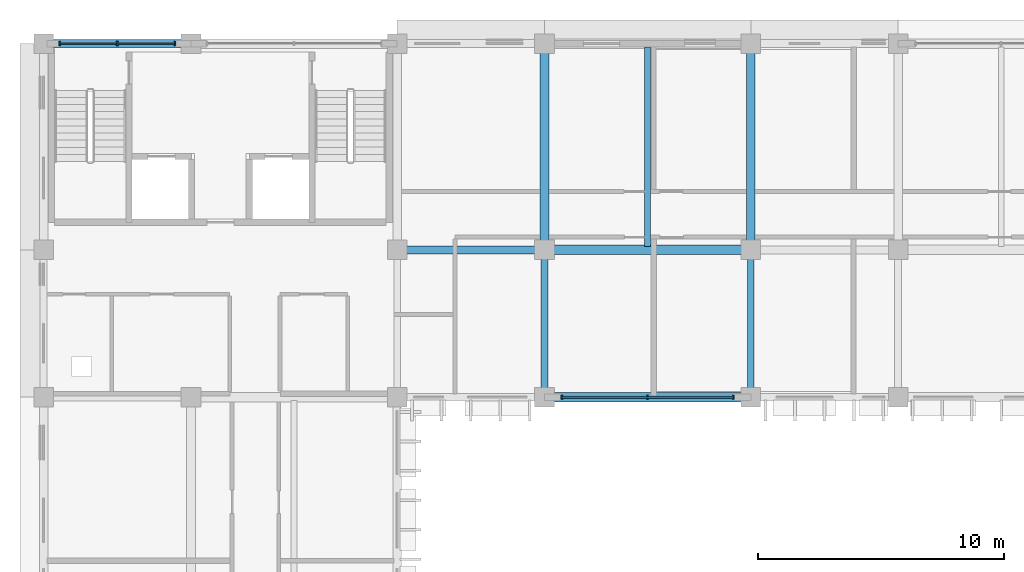
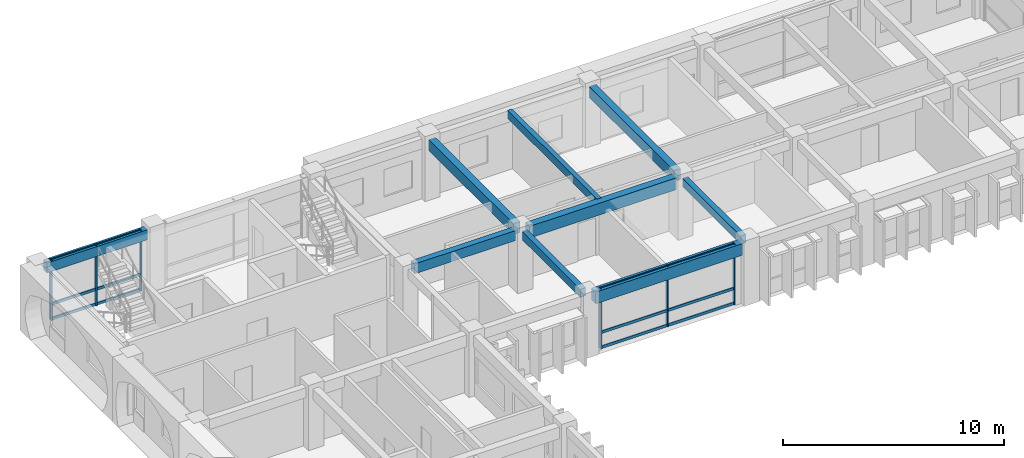
# One storey, part 25 of 88: 12 members, 9 beams, 2 elements without a shape of their own.
"""IFC4 building model written with IfcOpenShell, lengths in metres."""

from ifc_helpers import new_model, si_unit, direction, frame, origin, origin_2d, place, context, subcontext, project, spatial, rectangle, extrude, material, material_profile, profile_set, type_object, element, aggregate, save


model = new_model("IFC4")

# Units and contexts
model_context = context("Model", 3, precision=1e-05, world=origin(), true_north=direction((0.0, 1.0)))
body_context = subcontext(model_context, "Body", "Model", "MODEL_VIEW")
ifc_project = project(units=[si_unit("LENGTHUNIT", "METRE"), si_unit("AREAUNIT", "SQUARE_METRE"), si_unit("VOLUMEUNIT", "CUBIC_METRE"), si_unit("PLANEANGLEUNIT", "RADIAN"), si_unit("MASSUNIT", "GRAM", prefix="KILO"), si_unit("THERMODYNAMICTEMPERATUREUNIT", "KELVIN")], contexts=[model_context])

# Site, building, storey
site_placement = place(None, origin())
site = spatial("IfcSite", under=ifc_project, at=site_placement, CompositionType="ELEMENT")
building_placement = place(site_placement, origin())
building = spatial("IfcBuilding", under=site, at=building_placement, Name="Thalorik Housing Commons", CompositionType="ELEMENT")
storey_placement = place(building_placement, frame((0.0, 0.0, 4.5)))
storey = spatial("IfcBuildingStorey", under=building, at=storey_placement, Name="L01", CompositionType="ELEMENT", Elevation=4.5)

# Curtain wall, members
ifc_material_1 = material(Name="Anodised aluminium and solar-control low-E glass", Category="aluminium")
curtain_wall_type_1 = type_object("IfcCurtainWallType", Name="ARC-CW-LOUNGE", PredefinedType="USERDEFINED", material=ifc_material_1)
curtain_wall_1_placement = place(storey_placement, origin())
curtain_wall_1 = element("IfcCurtainWall", 1, at=curtain_wall_1_placement, inside=storey, type_object=curtain_wall_type_1, Name="L01 Curtain Wall CW-RES-L01-A-001", ObjectType="CURTAIN WALL", PredefinedType="USERDEFINED")
ifc_material_2 = material(Name="Anodised aluminium 6063-T6", Category="aluminium")
ifc_material_profile_1 = material_profile(ifc_material_2, rectangle(XDim=0.06494140625, YDim=0.179931640625, at=origin_2d()), Name="ALU MUL 65x180", Category="aluminium")
ifc_profile_set_1 = profile_set([ifc_material_profile_1], Name="Anodised aluminium 6063-T6")
member_type_1 = type_object("IfcMemberType", Name="ARC-CW-MUL-65x180", PredefinedType="MULLION", material=ifc_profile_set_1)
member_1_placement = place(storey_placement, frame((29.5, 109.199951171875, 0.0), z_axis=(0.0, 0.0, 1.0), x_axis=(1.0, 0.0, 0.0)))
member_1 = element("IfcMember", 2, at=member_1_placement, type_object=member_type_1, Name="CW-RES-L01-A-001 Mullion 1", PredefinedType="MULLION", context=body_context, shape_type="SweptSolid", body=[
    extrude(rectangle(XDim=0.06494140625, YDim=0.179931640625, at=origin_2d()), origin(), (0.0, 0.0, 1.0), 3.340087890625),
])
member_2_placement = place(storey_placement, frame((33.0, 109.199951171875, 0.0), z_axis=(0.0, 0.0, 1.0), x_axis=(1.0, 0.0, 0.0)))
member_2 = element("IfcMember", 3, at=member_2_placement, type_object=member_type_1, Name="CW-RES-L01-A-001 Mullion 2", PredefinedType="MULLION", context=body_context, shape_type="SweptSolid", body=[
    extrude(rectangle(XDim=0.06494140625, YDim=0.179931640625, at=origin_2d()), origin(), (0.0, 0.0, 1.0), 3.340087890625),
])
member_3_placement = place(storey_placement, frame((36.5, 109.199951171875, 0.0), z_axis=(0.0, 0.0, 1.0), x_axis=(1.0, 0.0, 0.0)))
member_3 = element("IfcMember", 4, at=member_3_placement, type_object=member_type_1, Name="CW-RES-L01-A-001 Mullion 3", PredefinedType="MULLION", context=body_context, shape_type="SweptSolid", body=[
    extrude(rectangle(XDim=0.06494140625, YDim=0.179931640625, at=origin_2d()), origin(), (0.0, 0.0, 1.0), 3.340087890625),
])

curtain_wall_type_2 = type_object("IfcCurtainWallType", Name="ARC-CW-CORE", PredefinedType="USERDEFINED", material=ifc_material_1)
curtain_wall_2_placement = place(storey_placement, origin())
curtain_wall_2 = element("IfcCurtainWall", 5, at=curtain_wall_2_placement, inside=storey, type_object=curtain_wall_type_2, Name="L01 Curtain Wall CW-CORE-L01-A-005", ObjectType="CURTAIN WALL", PredefinedType="USERDEFINED")
member_4_placement = place(storey_placement, frame((13.75, 123.60009765625, 0.0), z_axis=(0.0, 0.0, 1.0), x_axis=(-1.0, 0.0, 0.0)))
member_4 = element("IfcMember", 6, at=member_4_placement, type_object=member_type_1, Name="CW-CORE-L01-A-005 Mullion 1", PredefinedType="MULLION", context=body_context, shape_type="SweptSolid", body=[
    extrude(rectangle(XDim=0.06494140625, YDim=0.179931640625, at=origin_2d()), origin(), (0.0, 0.0, 1.0), 3.340087890625),
])
member_5_placement = place(storey_placement, frame((11.39990234375, 123.60009765625, 0.0), z_axis=(0.0, 0.0, 1.0), x_axis=(-1.0, 0.0, 0.0)))
member_5 = element("IfcMember", 7, at=member_5_placement, type_object=member_type_1, Name="CW-CORE-L01-A-005 Mullion 2", PredefinedType="MULLION", context=body_context, shape_type="SweptSolid", body=[
    extrude(rectangle(XDim=0.06494140625, YDim=0.179931640625, at=origin_2d()), origin(), (0.0, 0.0, 1.0), 3.340087890625),
])
member_6_placement = place(storey_placement, frame((9.050048828125, 123.60009765625, 0.0), z_axis=(0.0, 0.0, 1.0), x_axis=(-1.0, 0.0, 0.0)))
member_6 = element("IfcMember", 8, at=member_6_placement, type_object=member_type_1, Name="CW-CORE-L01-A-005 Mullion 3", PredefinedType="MULLION", context=body_context, shape_type="SweptSolid", body=[
    extrude(rectangle(XDim=0.06494140625, YDim=0.179931640625, at=origin_2d()), origin(), (0.0, 0.0, 1.0), 3.340087890625),
])

# Member
ifc_material_profile_2 = material_profile(ifc_material_2, rectangle(XDim=0.06494140625, YDim=0.14990234375, at=origin_2d()), Name="ALU TRN 65x150", Category="aluminium")
ifc_profile_set_2 = profile_set([ifc_material_profile_2], Name="Anodised aluminium 6063-T6")
member_type_2 = type_object("IfcMemberType", Name="ARC-CW-TRN-65x150", PredefinedType="USERDEFINED", material=ifc_profile_set_2)
member_7_placement = place(storey_placement, frame((29.5, 109.199951171875, 0.054931640625), z_axis=(1.0, 0.0, 0.0), x_axis=(0.0, 1.0, 0.0)))
member_7 = element("IfcMember", 9, at=member_7_placement, type_object=member_type_2, Name="CW-RES-L01-A-001 Transom 1", ObjectType="TRANSOM", PredefinedType="USERDEFINED", context=body_context, shape_type="SweptSolid", body=[
    extrude(rectangle(XDim=0.06494140625, YDim=0.14990234375, at=origin_2d()), origin(), (0.0, 0.0, 1.0), 7.0),
])

member_8_placement = place(storey_placement, frame((29.5, 109.199951171875, 0.8798828125), z_axis=(1.0, 0.0, 0.0), x_axis=(0.0, 1.0, 0.0)))
member_8 = element("IfcMember", 10, at=member_8_placement, type_object=member_type_2, Name="CW-RES-L01-A-001 Transom 2", ObjectType="TRANSOM", PredefinedType="USERDEFINED", context=body_context, shape_type="SweptSolid", body=[
    extrude(rectangle(XDim=0.06494140625, YDim=0.14990234375, at=origin_2d()), origin(), (0.0, 0.0, 1.0), 7.0),
])

member_9_placement = place(storey_placement, frame((29.5, 109.199951171875, 3.284912109375), z_axis=(1.0, 0.0, 0.0), x_axis=(0.0, 1.0, 0.0)))
member_9 = element("IfcMember", 11, at=member_9_placement, type_object=member_type_2, Name="CW-RES-L01-A-001 Transom 3", ObjectType="TRANSOM", PredefinedType="USERDEFINED", context=body_context, shape_type="SweptSolid", body=[
    extrude(rectangle(XDim=0.06494140625, YDim=0.14990234375, at=origin_2d()), origin(), (0.0, 0.0, 1.0), 7.0),
])

aggregate(curtain_wall_1, [member_1, member_2, member_3, member_7, member_8, member_9])

member_10_placement = place(storey_placement, frame((13.75, 123.60009765625, 0.054931640625), z_axis=(-1.0, 0.0, 0.0), x_axis=(0.0, -1.0, 0.0)))
member_10 = element("IfcMember", 12, at=member_10_placement, type_object=member_type_2, Name="CW-CORE-L01-A-005 Transom 1", ObjectType="TRANSOM", PredefinedType="USERDEFINED", context=body_context, shape_type="SweptSolid", body=[
    extrude(rectangle(XDim=0.06494140625, YDim=0.14990234375, at=origin_2d()), origin(), (0.0, 0.0, 1.0), 4.699951171875),
])

member_11_placement = place(storey_placement, frame((13.75, 123.60009765625, 0.8798828125), z_axis=(-1.0, 0.0, 0.0), x_axis=(0.0, -1.0, 0.0)))
member_11 = element("IfcMember", 13, at=member_11_placement, type_object=member_type_2, Name="CW-CORE-L01-A-005 Transom 2", ObjectType="TRANSOM", PredefinedType="USERDEFINED", context=body_context, shape_type="SweptSolid", body=[
    extrude(rectangle(XDim=0.06494140625, YDim=0.14990234375, at=origin_2d()), origin(), (0.0, 0.0, 1.0), 4.699951171875),
])

member_12_placement = place(storey_placement, frame((13.75, 123.60009765625, 3.284912109375), z_axis=(-1.0, 0.0, 0.0), x_axis=(0.0, -1.0, 0.0)))
member_12 = element("IfcMember", 14, at=member_12_placement, type_object=member_type_2, Name="CW-CORE-L01-A-005 Transom 3", ObjectType="TRANSOM", PredefinedType="USERDEFINED", context=body_context, shape_type="SweptSolid", body=[
    extrude(rectangle(XDim=0.06494140625, YDim=0.14990234375, at=origin_2d()), origin(), (0.0, 0.0, 1.0), 4.699951171875),
])

aggregate(curtain_wall_2, [member_4, member_5, member_6, member_10, member_11, member_12])

# Beams
ifc_material_3 = material(Name="Precast concrete C40/50", Category="concrete")
ifc_material_profile_3 = material_profile(ifc_material_3, rectangle(XDim=0.280029296875, YDim=0.449951171875, at=origin_2d()), Name="PC 280x450", Category="concrete")
ifc_profile_set_3 = profile_set([ifc_material_profile_3], Name="Precast concrete C40/50")
beam_type_1 = type_object("IfcBeamType", Name="STR-BM-PC280x450", PredefinedType="BEAM", material=ifc_profile_set_3)
for number, where, z_axis, x_axis, name in (
    (15, (28.800048828125, 109.550048828125, 3.114990234375), (0.0, 1.0, 0.0), (-1.0, 0.0, 0.0), "L01 Beam B-450"),
    (16, (37.199951171875, 109.550048828125, 3.114990234375), (0.0, 1.0, 0.0), (-1.0, 0.0, 0.0), "L01 Beam B-450"),
):
    element("IfcBeam", number, at=place(storey_placement, frame(where, z_axis=z_axis, x_axis=x_axis)), inside=storey, type_object=beam_type_1, Name=name, PredefinedType="BEAM", context=body_context, shape_type="SweptSolid", body=[
        extrude(rectangle(XDim=0.280029296875, YDim=0.449951171875, at=origin_2d()), origin(), (0.0, 0.0, 1.0), 5.300048828125),
    ])
ifc_material_profile_4 = material_profile(ifc_material_3, rectangle(XDim=0.320068359375, YDim=0.550048828125, at=origin_2d()), Name="PC 320x550", Category="concrete")
ifc_profile_set_4 = profile_set([ifc_material_profile_4], Name="Precast concrete C40/50")
beam_type_2 = type_object("IfcBeamType", Name="STR-BM-PC320x550", PredefinedType="BEAM", material=ifc_profile_set_4)
for number, where, z_axis, x_axis, name in (
    (17, (23.14990234375, 115.199951171875, 3.06494140625), (1.0, 0.0, 0.0), (0.0, 1.0, 0.0), "L01 Beam B-550"),
    (18, (8.75, 123.60009765625, 3.06494140625), (1.0, 0.0, 0.0), (0.0, 1.0, 0.0), "L01 Beam B-550"),
):
    element("IfcBeam", number, at=place(storey_placement, frame(where, z_axis=z_axis, x_axis=x_axis)), inside=storey, type_object=beam_type_2, Name=name, PredefinedType="BEAM", context=body_context, shape_type="SweptSolid", body=[
        extrude(rectangle(XDim=0.320068359375, YDim=0.550048828125, at=origin_2d()), origin(), (0.0, 0.0, 1.0), 5.300048828125),
    ])
ifc_material_profile_5 = material_profile(ifc_material_3, rectangle(XDim=0.35009765625, YDim=0.60009765625, at=origin_2d()), Name="PC 350x600", Category="concrete")
ifc_profile_set_5 = profile_set([ifc_material_profile_5], Name="Precast concrete C40/50")
beam_type_3 = type_object("IfcBeamType", Name="STR-BM-PC350x600", PredefinedType="BEAM", material=ifc_profile_set_5)
for number, where, z_axis, x_axis, name in (
    (19, (28.800048828125, 115.550048828125, 3.0400390625), (0.0, 1.0, 0.0), (-1.0, 0.0, 0.0), "L01 Beam B-600"),
    (20, (37.199951171875, 115.550048828125, 3.0400390625), (0.0, 1.0, 0.0), (-1.0, 0.0, 0.0), "L01 Beam B-600"),
):
    element("IfcBeam", number, at=place(storey_placement, frame(where, z_axis=z_axis, x_axis=x_axis)), inside=storey, type_object=beam_type_3, Name=name, PredefinedType="BEAM", context=body_context, shape_type="SweptSolid", body=[
        extrude(rectangle(XDim=0.35009765625, YDim=0.60009765625, at=origin_2d()), origin(), (0.0, 0.0, 1.0), 7.699951171875),
    ])
ifc_material_profile_6 = material_profile(ifc_material_3, rectangle(XDim=0.3798828125, YDim=0.64990234375, at=origin_2d()), Name="PC 380x650", Category="concrete")
ifc_profile_set_6 = profile_set([ifc_material_profile_6], Name="Precast concrete C40/50")
beam_type_4 = type_object("IfcBeamType", Name="STR-BM-PC380x650", PredefinedType="BEAM", material=ifc_profile_set_6)
for number, where, z_axis, x_axis, name in (
    (21, (29.14990234375, 109.199951171875, 3.014892578125), (1.0, 0.0, 0.0), (0.0, 1.0, 0.0), "L01 Beam B-650"),
    (22, (29.14990234375, 115.199951171875, 3.014892578125), (1.0, 0.0, 0.0), (0.0, 1.0, 0.0), "L01 Beam B-650"),
):
    element("IfcBeam", number, at=place(storey_placement, frame(where, z_axis=z_axis, x_axis=x_axis)), inside=storey, type_object=beam_type_4, Name=name, PredefinedType="BEAM", context=body_context, shape_type="SweptSolid", body=[
        extrude(rectangle(XDim=0.3798828125, YDim=0.64990234375, at=origin_2d()), origin(), (0.0, 0.0, 1.0), 7.7001953125),
    ])
ifc_material_profile_7 = material_profile(ifc_material_3, rectangle(XDim=0.239990234375, YDim=0.43994140625, at=origin_2d()), Name="PC JST 240x440", Category="concrete")
ifc_profile_set_7 = profile_set([ifc_material_profile_7], Name="Precast concrete C40/50")
beam_type_5 = type_object("IfcBeamType", Name="STR-JST-PC240x440", PredefinedType="JOIST", material=ifc_profile_set_7)
beam_placement = place(storey_placement, frame((33.0, 115.340087890625, 3.1201171875), z_axis=(0.0, 1.0, 0.0), x_axis=(-1.0, 0.0, 0.0)))
element("IfcBeam", 23, at=beam_placement, inside=storey, type_object=beam_type_5, Name="L01 Beam J-440", PredefinedType="JOIST", context=body_context, shape_type="SweptSolid", body=[
    extrude(rectangle(XDim=0.239990234375, YDim=0.43994140625, at=origin_2d()), origin(), (0.0, 0.0, 1.0), 8.119873046875),
])

save(model, "model.ifc")
